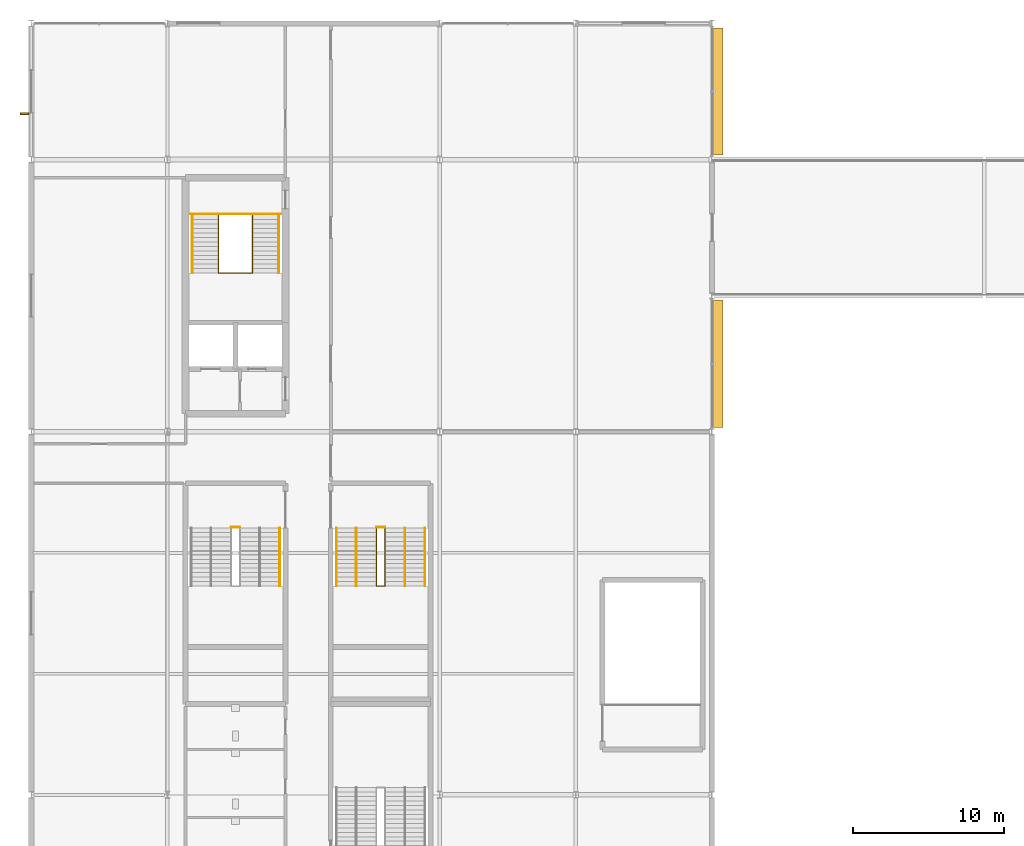
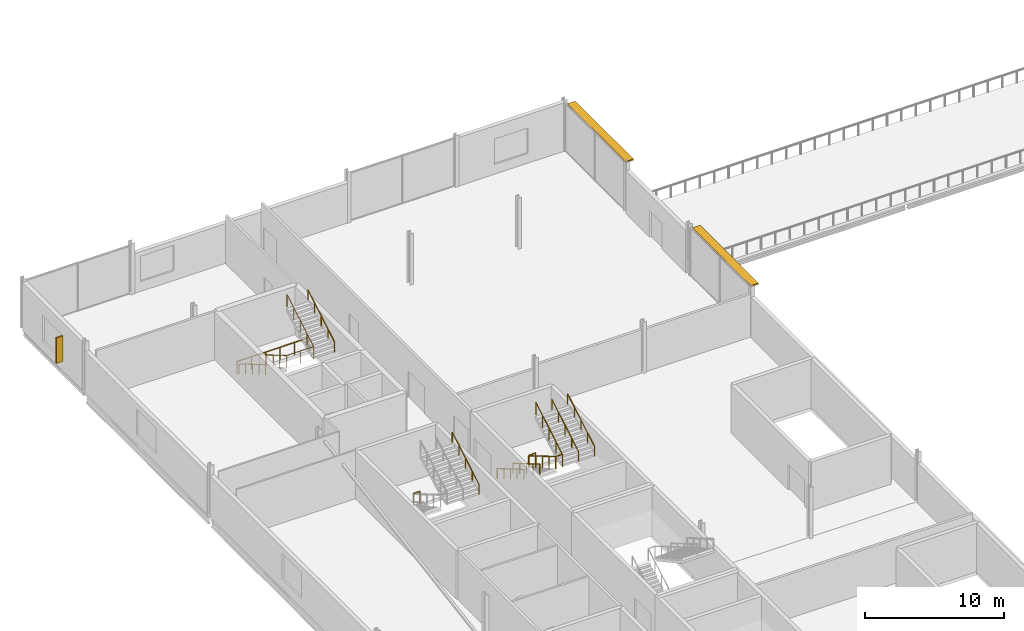
# One storey, part 68 of 73: 12 railings, 3 shading devices.
"""IFC4 building model written with IfcOpenShell, lengths in metres."""

from ifc_helpers import new_model, si_unit, direction, frame, origin, origin_2d, place, context, subcontext, project, spatial, rectangle, circle, extrude, material, type_object, element, save


model = new_model("IFC4")

# Units and contexts
model_context = context("Model", 3, precision=1e-05, world=origin(), true_north=direction((0.0, 1.0)))
body_context = subcontext(model_context, "Body", "Model", "MODEL_VIEW")
ifc_project = project(units=[si_unit("LENGTHUNIT", "METRE"), si_unit("AREAUNIT", "SQUARE_METRE"), si_unit("VOLUMEUNIT", "CUBIC_METRE"), si_unit("PLANEANGLEUNIT", "RADIAN"), si_unit("MASSUNIT", "GRAM", prefix="KILO")], contexts=[model_context])

# Site, building, storey
site_placement = place(None, origin())
site = spatial("IfcSite", under=ifc_project, at=site_placement, CompositionType="ELEMENT")
building_placement = place(site_placement, origin())
building = spatial("IfcBuilding", under=site, at=building_placement, Name="Kisiwana Market Hall", CompositionType="ELEMENT")
storey_placement = place(building_placement, frame((0.0, 0.0, 33.300048828125)))
storey = spatial("IfcBuildingStorey", under=building, at=storey_placement, Name="L07", CompositionType="ELEMENT", Elevation=33.300048828125)

# Railings
ifc_material_1 = material(Name="Steel S275", Category="steel")
railing_type_1 = type_object("IfcRailingType", Name="RL-GUARD-1100", PredefinedType="GUARDRAIL", material=ifc_material_1)
railing_1_placement = place(storey_placement, frame((12.375, 98.325439453125, 0.0)))
element("IfcRailing", 1, at=railing_1_placement, inside=storey, type_object=railing_type_1, Name="Stair ST-W1-L07 inner-well guardrail (RL-1055)", PredefinedType="GUARDRAIL", context=body_context, shape_type="SweptSolid", body=[
    extrude(circle(Radius=0.02392578125, at=origin_2d()), frame((0.0, 0.0, 1.076171875), z_axis=(0.0, -0.86250956776, 0.506040754805), x_axis=(1.0, 0.0, 0.0)), (0.0, 0.0, 1.0), 4.4462890625),
    extrude(circle(Radius=0.02392578125, at=origin_2d()), frame((0.0, -3.8349609375, 3.326171875), z_axis=(1.0, 0.0, 0.0), x_axis=(0.0, 1.0, 0.0)), (0.0, 0.0, 1.0), 2.25),
    extrude(circle(Radius=0.02392578125, at=origin_2d()), frame((2.25, -3.8349609375, 3.326171875), z_axis=(0.0, 0.86250956776, 0.506040754805), x_axis=(-1.0, 0.0, 0.0)), (0.0, 0.0, 1.0), 4.4462890625),
    extrude(circle(Radius=0.02099609375, at=origin_2d()), origin(), (0.0, 0.0, 1.0), 1.052001953125),
    extrude(circle(Radius=0.02099609375, at=origin_2d()), frame((0.0, -0.958740234375, 0.5625)), (0.0, 0.0, 1.0), 1.052001953125),
    extrude(circle(Radius=0.02099609375, at=origin_2d()), frame((0.0, -1.91748046875, 1.125)), (0.0, 0.0, 1.0), 1.052001953125),
    extrude(circle(Radius=0.02099609375, at=origin_2d()), frame((0.0, -2.876220703125, 1.6875)), (0.0, 0.0, 1.0), 1.052001953125),
    extrude(circle(Radius=0.02099609375, at=origin_2d()), frame((0.0, -3.8349609375, 2.25)), (0.0, 0.0, 1.0), 1.052001953125),
    extrude(circle(Radius=0.02099609375, at=origin_2d()), frame((1.125, -3.8349609375, 2.25)), (0.0, 0.0, 1.0), 1.052001953125),
    extrude(circle(Radius=0.02099609375, at=origin_2d()), frame((2.25, -3.8349609375, 2.25)), (0.0, 0.0, 1.0), 1.052001953125),
    extrude(circle(Radius=0.02099609375, at=origin_2d()), frame((2.25, -2.876220703125, 2.8125)), (0.0, 0.0, 1.0), 1.052001953125),
    extrude(circle(Radius=0.02099609375, at=origin_2d()), frame((2.25, -1.91748046875, 3.375)), (0.0, 0.0, 1.0), 1.052001953125),
    extrude(circle(Radius=0.02099609375, at=origin_2d()), frame((2.25, -0.958740234375, 3.9375)), (0.0, 0.0, 1.0), 1.052001953125),
    extrude(circle(Radius=0.02099609375, at=origin_2d()), frame((2.25, 0.0, 4.5)), (0.0, 0.0, 1.0), 1.052001953125),
])
railing_2_placement = place(storey_placement, frame((10.5048828125, 98.405517578125, 0.0)))
element("IfcRailing", 2, at=railing_2_placement, inside=storey, type_object=railing_type_1, Name="Stair ST-W1-L07 landing edge guardrail (RL-1058)", PredefinedType="GUARDRAIL", context=body_context, shape_type="SweptSolid", body=[
    extrude(circle(Radius=0.02392578125, at=origin_2d()), frame((0.0, 0.0, 1.076171875), z_axis=(1.0, 0.0, 0.0), x_axis=(0.0, 1.0, 0.0)), (0.0, 0.0, 1.0), 5.990234375),
    extrude(circle(Radius=0.02099609375, at=origin_2d()), origin(), (0.0, 0.0, 1.0), 1.052001953125),
    extrude(circle(Radius=0.02099609375, at=origin_2d()), frame((1.197998046875, 0.0, 0.0)), (0.0, 0.0, 1.0), 1.052001953125),
    extrude(circle(Radius=0.02099609375, at=origin_2d()), frame((2.39599609375, 0.0, 0.0)), (0.0, 0.0, 1.0), 1.052001953125),
    extrude(circle(Radius=0.02099609375, at=origin_2d()), frame((3.59423828125, 0.0, 0.0)), (0.0, 0.0, 1.0), 1.052001953125),
    extrude(circle(Radius=0.02099609375, at=origin_2d()), frame((4.792236328125, 0.0, 0.0)), (0.0, 0.0, 1.0), 1.052001953125),
    extrude(circle(Radius=0.02099609375, at=origin_2d()), frame((5.990234375, 0.0, 0.0)), (0.0, 0.0, 1.0), 1.052001953125),
])
railing_3_placement = place(storey_placement, frame((13.219970703125, 77.68994140625, 0.0)))
element("IfcRailing", 3, at=railing_3_placement, inside=storey, type_object=railing_type_1, Name="Stair ST-W4-L07 landing edge guardrail (RL-1078)", PredefinedType="GUARDRAIL", context=body_context, shape_type="SweptSolid", body=[
    extrude(circle(Radius=0.02392578125, at=origin_2d()), frame((0.0, 0.0, 1.076171875), z_axis=(1.0, 0.0, 0.0), x_axis=(0.0, 1.0, 0.0)), (0.0, 0.0, 1.0), 0.56005859375),
    extrude(circle(Radius=0.02099609375, at=origin_2d()), origin(), (0.0, 0.0, 1.0), 1.052001953125),
    extrude(circle(Radius=0.02099609375, at=origin_2d()), frame((0.56005859375, 0.0, 0.0)), (0.0, 0.0, 1.0), 1.052001953125),
])
railing_4_placement = place(storey_placement, frame((22.820068359375, 77.639892578125, 0.0)))
element("IfcRailing", 4, at=railing_4_placement, inside=storey, type_object=railing_type_1, Name="Stair ST-W8-L07 inner-well guardrail (RL-1103)", PredefinedType="GUARDRAIL", context=body_context, shape_type="SweptSolid", body=[
    extrude(circle(Radius=0.02392578125, at=origin_2d()), frame((0.0, 0.0, 1.076171875), z_axis=(0.0, -0.86250956776, 0.506040754805), x_axis=(1.0, 0.0, 0.0)), (0.0, 0.0, 1.0), 4.4462890625),
    extrude(circle(Radius=0.02392578125, at=origin_2d()), frame((0.0, -3.8349609375, 3.326171875), z_axis=(1.0, 0.0, 0.0), x_axis=(0.0, 1.0, 0.0)), (0.0, 0.0, 1.0), 0.559814453125),
    extrude(circle(Radius=0.02392578125, at=origin_2d()), frame((0.559814453125, -3.8349609375, 3.326171875), z_axis=(0.0, 0.86250956776, 0.506040754805), x_axis=(-1.0, 0.0, 0.0)), (0.0, 0.0, 1.0), 4.4462890625),
    extrude(circle(Radius=0.02099609375, at=origin_2d()), origin(), (0.0, 0.0, 1.0), 1.052001953125),
    extrude(circle(Radius=0.02099609375, at=origin_2d()), frame((0.0, -0.958740234375, 0.5625)), (0.0, 0.0, 1.0), 1.052001953125),
    extrude(circle(Radius=0.02099609375, at=origin_2d()), frame((0.0, -1.91748046875, 1.125)), (0.0, 0.0, 1.0), 1.052001953125),
    extrude(circle(Radius=0.02099609375, at=origin_2d()), frame((0.0, -2.876220703125, 1.6875)), (0.0, 0.0, 1.0), 1.052001953125),
    extrude(circle(Radius=0.02099609375, at=origin_2d()), frame((0.0, -3.8349609375, 2.25)), (0.0, 0.0, 1.0), 1.052001953125),
    extrude(circle(Radius=0.02099609375, at=origin_2d()), frame((0.559814453125, -3.8349609375, 2.25)), (0.0, 0.0, 1.0), 1.052001953125),
    extrude(circle(Radius=0.02099609375, at=origin_2d()), frame((0.559814453125, -2.876220703125, 2.8125)), (0.0, 0.0, 1.0), 1.052001953125),
    extrude(circle(Radius=0.02099609375, at=origin_2d()), frame((0.559814453125, -1.91748046875, 3.375)), (0.0, 0.0, 1.0), 1.052001953125),
    extrude(circle(Radius=0.02099609375, at=origin_2d()), frame((0.559814453125, -0.958740234375, 3.9375)), (0.0, 0.0, 1.0), 1.052001953125),
    extrude(circle(Radius=0.02099609375, at=origin_2d()), frame((0.559814453125, 0.0, 4.5)), (0.0, 0.0, 1.0), 1.052001953125),
])
railing_5_placement = place(storey_placement, frame((22.820068359375, 77.68994140625, 0.0)))
element("IfcRailing", 5, at=railing_5_placement, inside=storey, type_object=railing_type_1, Name="Stair ST-W8-L07 landing edge guardrail (RL-1108)", PredefinedType="GUARDRAIL", context=body_context, shape_type="SweptSolid", body=[
    extrude(circle(Radius=0.02392578125, at=origin_2d()), frame((0.0, 0.0, 1.076171875), z_axis=(1.0, 0.0, 0.0), x_axis=(0.0, 1.0, 0.0)), (0.0, 0.0, 1.0), 0.559814453125),
    extrude(circle(Radius=0.02099609375, at=origin_2d()), origin(), (0.0, 0.0, 1.0), 1.052001953125),
    extrude(circle(Radius=0.02099609375, at=origin_2d()), frame((0.559814453125, 0.0, 0.0)), (0.0, 0.0, 1.0), 1.052001953125),
])
ifc_material_2 = material(Name="Steel S275", Category="steel")
railing_type_2 = type_object("IfcRailingType", Name="RL-HAND-900", PredefinedType="HANDRAIL", material=ifc_material_2)
railing_6_placement = place(storey_placement, frame((10.635009765625, 98.325439453125, 0.0)))
element("IfcRailing", 6, at=railing_6_placement, inside=storey, type_object=railing_type_2, Name="Stair ST-W1-L07 flight 1 handrail (RL-1056)", PredefinedType="HANDRAIL", context=body_context, shape_type="SweptSolid", body=[
    extrude(circle(Radius=0.02392578125, at=origin_2d()), frame((0.0, 0.0, 0.8759765625), z_axis=(0.0, -0.86250956776, 0.506040754805), x_axis=(1.0, 0.0, 0.0)), (0.0, 0.0, 1.0), 4.4462890625),
    extrude(circle(Radius=0.02099609375, at=origin_2d()), origin(), (0.0, 0.0, 1.0), 0.851806640625),
    extrude(circle(Radius=0.02099609375, at=origin_2d()), frame((0.0, -0.958740234375, 0.5625)), (0.0, 0.0, 1.0), 0.851806640625),
    extrude(circle(Radius=0.02099609375, at=origin_2d()), frame((0.0, -1.91748046875, 1.125)), (0.0, 0.0, 1.0), 0.851806640625),
    extrude(circle(Radius=0.02099609375, at=origin_2d()), frame((0.0, -2.876220703125, 1.6875)), (0.0, 0.0, 1.0), 0.851806640625),
    extrude(circle(Radius=0.02099609375, at=origin_2d()), frame((0.0, -3.8349609375, 2.25)), (0.0, 0.0, 1.0), 0.851806640625),
])
for number, where, name in (
    (7, (16.364990234375, 94.490478515625, 2.25), "Stair ST-W1-L07 flight 2 handrail (RL-1057)"),
    (8, (16.429931640625, 73.804931640625, 2.25), "Stair ST-W4-L07 flight 2 handrail (RL-1075)"),
):
    element("IfcRailing", number, at=place(storey_placement, frame(where)), inside=storey, type_object=railing_type_2, Name=name, PredefinedType="HANDRAIL", context=body_context, shape_type="SweptSolid", body=[
        extrude(circle(Radius=0.02392578125, at=origin_2d()), frame((0.0, 0.0, 0.8759765625), z_axis=(0.0, 0.86250956776, 0.506040754805), x_axis=(-1.0, 0.0, 0.0)), (0.0, 0.0, 1.0), 4.4462890625),
        extrude(circle(Radius=0.02099609375, at=origin_2d()), origin(), (0.0, 0.0, 1.0), 0.851806640625),
        extrude(circle(Radius=0.02099609375, at=origin_2d()), frame((0.0, 0.958740234375, 0.5625)), (0.0, 0.0, 1.0), 0.851806640625),
        extrude(circle(Radius=0.02099609375, at=origin_2d()), frame((0.0, 1.91748046875, 1.125)), (0.0, 0.0, 1.0), 0.851806640625),
        extrude(circle(Radius=0.02099609375, at=origin_2d()), frame((0.0, 2.876220703125, 1.6875)), (0.0, 0.0, 1.0), 0.851806640625),
        extrude(circle(Radius=0.02099609375, at=origin_2d()), frame((0.0, 3.8349609375, 2.25)), (0.0, 0.0, 1.0), 0.851806640625),
    ])
railing_7_placement = place(storey_placement, frame((20.169921875, 77.639892578125, 0.0)))
element("IfcRailing", 9, at=railing_7_placement, inside=storey, type_object=railing_type_2, Name="Stair ST-W8-L07 flight 1 handrail (RL-1104)", PredefinedType="HANDRAIL", context=body_context, shape_type="SweptSolid", body=[
    extrude(circle(Radius=0.02392578125, at=origin_2d()), frame((0.0, 0.0, 0.8759765625), z_axis=(0.0, -0.86250956776, 0.506040754805), x_axis=(1.0, 0.0, 0.0)), (0.0, 0.0, 1.0), 4.4462890625),
    extrude(circle(Radius=0.02099609375, at=origin_2d()), origin(), (0.0, 0.0, 1.0), 0.851806640625),
    extrude(circle(Radius=0.02099609375, at=origin_2d()), frame((0.0, -0.958740234375, 0.5625)), (0.0, 0.0, 1.0), 0.851806640625),
    extrude(circle(Radius=0.02099609375, at=origin_2d()), frame((0.0, -1.91748046875, 1.125)), (0.0, 0.0, 1.0), 0.851806640625),
    extrude(circle(Radius=0.02099609375, at=origin_2d()), frame((0.0, -2.876220703125, 1.6875)), (0.0, 0.0, 1.0), 0.851806640625),
    extrude(circle(Radius=0.02099609375, at=origin_2d()), frame((0.0, -3.8349609375, 2.25)), (0.0, 0.0, 1.0), 0.851806640625),
])
railing_8_placement = place(storey_placement, frame((26.030029296875, 73.804931640625, 2.25)))
element("IfcRailing", 10, at=railing_8_placement, inside=storey, type_object=railing_type_2, Name="Stair ST-W8-L07 flight 2 handrail (RL-1105)", PredefinedType="HANDRAIL", context=body_context, shape_type="SweptSolid", body=[
    extrude(circle(Radius=0.02392578125, at=origin_2d()), frame((0.0, 0.0, 0.8759765625), z_axis=(0.0, 0.86250956776, 0.506040754805), x_axis=(-1.0, 0.0, 0.0)), (0.0, 0.0, 1.0), 4.4462890625),
    extrude(circle(Radius=0.02099609375, at=origin_2d()), origin(), (0.0, 0.0, 1.0), 0.851806640625),
    extrude(circle(Radius=0.02099609375, at=origin_2d()), frame((0.0, 0.958740234375, 0.5625)), (0.0, 0.0, 1.0), 0.851806640625),
    extrude(circle(Radius=0.02099609375, at=origin_2d()), frame((0.0, 1.91748046875, 1.125)), (0.0, 0.0, 1.0), 0.851806640625),
    extrude(circle(Radius=0.02099609375, at=origin_2d()), frame((0.0, 2.876220703125, 1.6875)), (0.0, 0.0, 1.0), 0.851806640625),
    extrude(circle(Radius=0.02099609375, at=origin_2d()), frame((0.0, 3.8349609375, 2.25)), (0.0, 0.0, 1.0), 0.851806640625),
])
railing_9_placement = place(storey_placement, frame((21.489990234375, 77.639892578125, 0.0)))
element("IfcRailing", 11, at=railing_9_placement, inside=storey, type_object=railing_type_2, Name="Stair ST-W8-L07 flight 1 intermediate handrail (RL-1106)", PredefinedType="HANDRAIL", context=body_context, shape_type="SweptSolid", body=[
    extrude(circle(Radius=0.02392578125, at=origin_2d()), frame((0.0, 0.0, 0.8759765625), z_axis=(0.0, -0.86250956776, 0.506040754805), x_axis=(1.0, 0.0, 0.0)), (0.0, 0.0, 1.0), 4.4462890625),
    extrude(circle(Radius=0.02099609375, at=origin_2d()), origin(), (0.0, 0.0, 1.0), 0.851806640625),
    extrude(circle(Radius=0.02099609375, at=origin_2d()), frame((0.0, -0.958740234375, 0.5625)), (0.0, 0.0, 1.0), 0.851806640625),
    extrude(circle(Radius=0.02099609375, at=origin_2d()), frame((0.0, -1.91748046875, 1.125)), (0.0, 0.0, 1.0), 0.851806640625),
    extrude(circle(Radius=0.02099609375, at=origin_2d()), frame((0.0, -2.876220703125, 1.6875)), (0.0, 0.0, 1.0), 0.851806640625),
    extrude(circle(Radius=0.02099609375, at=origin_2d()), frame((0.0, -3.8349609375, 2.25)), (0.0, 0.0, 1.0), 0.851806640625),
])
railing_10_placement = place(storey_placement, frame((24.7099609375, 73.804931640625, 2.25)))
element("IfcRailing", 12, at=railing_10_placement, inside=storey, type_object=railing_type_2, Name="Stair ST-W8-L07 flight 2 intermediate handrail (RL-1107)", PredefinedType="HANDRAIL", context=body_context, shape_type="SweptSolid", body=[
    extrude(circle(Radius=0.02392578125, at=origin_2d()), frame((0.0, 0.0, 0.8759765625), z_axis=(0.0, 0.86250956776, 0.506040754805), x_axis=(-1.0, 0.0, 0.0)), (0.0, 0.0, 1.0), 4.4462890625),
    extrude(circle(Radius=0.02099609375, at=origin_2d()), origin(), (0.0, 0.0, 1.0), 0.851806640625),
    extrude(circle(Radius=0.02099609375, at=origin_2d()), frame((0.0, 0.958740234375, 0.5625)), (0.0, 0.0, 1.0), 0.851806640625),
    extrude(circle(Radius=0.02099609375, at=origin_2d()), frame((0.0, 1.91748046875, 1.125)), (0.0, 0.0, 1.0), 0.851806640625),
    extrude(circle(Radius=0.02099609375, at=origin_2d()), frame((0.0, 2.876220703125, 1.6875)), (0.0, 0.0, 1.0), 0.851806640625),
    extrude(circle(Radius=0.02099609375, at=origin_2d()), frame((0.0, 3.8349609375, 2.25)), (0.0, 0.0, 1.0), 0.851806640625),
])

# Shading devices
ifc_material_3 = material(Name="Aluminium alloy 6063-T6", Category="aluminium")
shading_device_type_1 = type_object("IfcShadingDeviceType", Name="SHD-JALOUSIE-H", PredefinedType="JALOUSIE", material=ifc_material_3)
for number, where, z_axis, x_axis, name in (
    (13, (45.419921875, 88.5, 4.074951171875), (0.0, 0.0, 1.0), (0.0, 1.0, 0.0), "Aluminium brise-soleil louvre SHD-170 SD-170"),
    (14, (45.419921875, 106.5, 4.074951171875), (0.0, 0.0, 1.0), (0.0, 1.0, 0.0), "Aluminium brise-soleil louvre SHD-171 SD-171"),
):
    element("IfcShadingDevice", number, at=place(storey_placement, frame(where, z_axis=z_axis, x_axis=x_axis)), inside=storey, type_object=shading_device_type_1, Name=name, PredefinedType="JALOUSIE", context=body_context, shape_type="SweptSolid", body=[
        extrude(rectangle(XDim=8.39990234375, YDim=0.64990234375, at=origin_2d()), origin(), (0.0, 0.0, 1.0), 0.1201171875),
    ])
ifc_material_4 = material(Name="Aluminium alloy 6063-T6", Category="aluminium")
shading_device_type_2 = type_object("IfcShadingDeviceType", Name="SHD-SHUTTER-V", PredefinedType="SHUTTER", material=ifc_material_4)
shading_device_placement = place(storey_placement, frame((-0.445068359375, 105.02001953125, 0.849853515625), z_axis=(0.0, 0.0, 1.0), x_axis=(0.0, 1.0, 0.0)))
element("IfcShadingDevice", 15, at=shading_device_placement, inside=storey, type_object=shading_device_type_2, Name="Vertical solar fin SHD-167 SD-167", PredefinedType="SHUTTER", context=body_context, shape_type="SweptSolid", body=[
    extrude(rectangle(XDim=0.1201171875, YDim=0.550048828125, at=origin_2d()), origin(), (0.0, 0.0, 1.0), 2.25),
])

save(model, "model.ifc")
